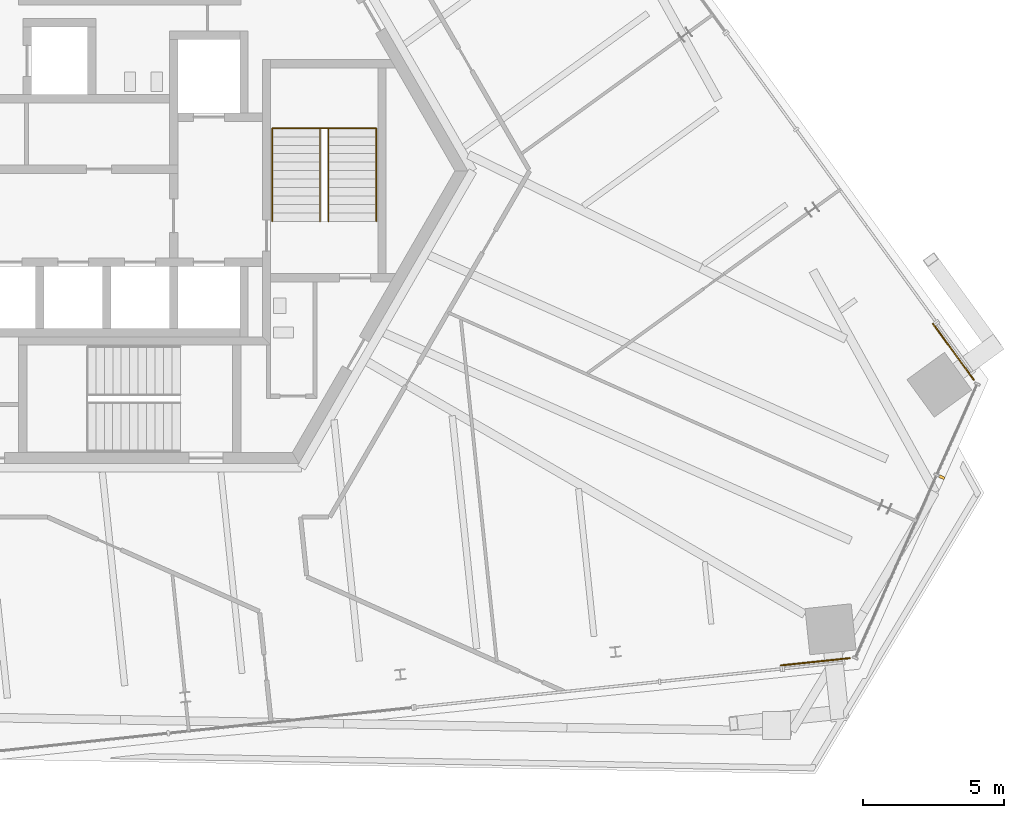
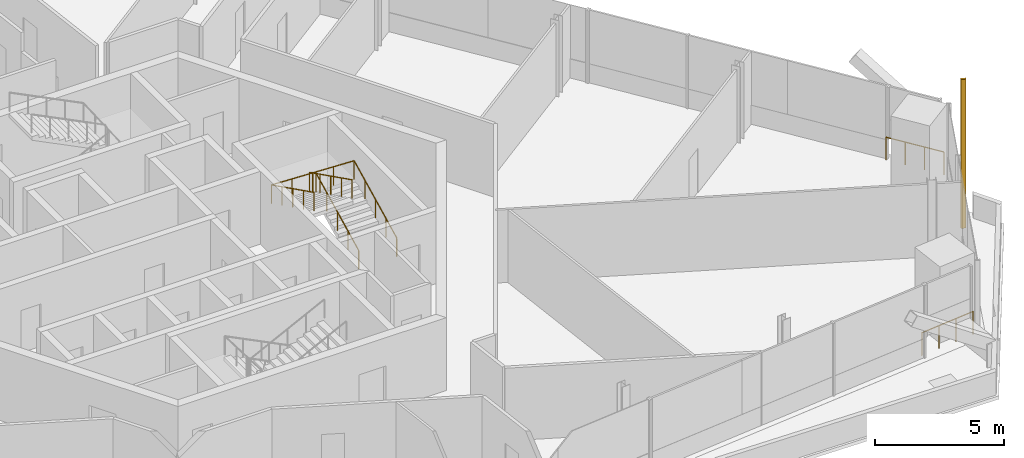
# One storey, part 19 of 21: 4 railings, 1 shading device.
"""IFC4 building model written with IfcOpenShell, lengths in metres."""

import ifcopenshell
import ifcopenshell.guid

model = None  # the IFC model being written
_history = None  # IfcOwnerHistory: only IFC2X3 demands one
_inside = {}  # id of a spatial element -> (the spatial element, [elements in it])
_under = {}  # id of a project, library or spatial element -> (it, [spatial elements below it])
_declared = {}  # id of a project -> (the project, [libraries it declares])
_typed = {}  # id of a type object -> (the type object, [elements of that type])
_made_of = {}  # id of a material, layer set ... -> (it, [elements and type objects made of it])


def new_model(schema):
    """Start an empty IFC model of exactly this schema.

    Asked for "IFC4X3", IfcOpenShell would pick the latest addendum, in which some entities
    have other attributes; the version numbers below select the first issue.
    IFC2X3 requires an IfcOwnerHistory on every rooted entity: one is made here for all.
    """
    global model, _history
    if schema == "IFC4X3":
        model = ifcopenshell.file(schema_version=(4, 3, 0, 0))
    else:
        model = ifcopenshell.file(schema=schema)
    _inside.clear()
    _under.clear()
    _declared.clear()
    _typed.clear()
    _made_of.clear()
    _history = None
    if model.schema == "IFC2X3":
        org = make("IfcOrganization", Name="unknown")
        user = make(
            "IfcPersonAndOrganization",
            ThePerson=make("IfcPerson", FamilyName="unknown"),
            TheOrganization=org,
        )
        app = make(
            "IfcApplication",
            ApplicationDeveloper=org,
            Version="unknown",
            ApplicationFullName="unknown",
            ApplicationIdentifier="unknown",
        )
        _history = make(
            "IfcOwnerHistory",
            OwningUser=user,
            OwningApplication=app,
            ChangeAction="ADDED",
            CreationDate=0,
        )
    return model


def make(cls, **values):
    """One entity of the class cls with the attributes given. An attribute that is None is left unset."""
    return model.create_entity(
        cls, **{name: value for name, value in values.items() if value is not None}
    )


def rooted(cls, **values):
    """An entity with a GlobalId (a new one), such as an element, a storey or a relation."""
    return make(cls, GlobalId=ifcopenshell.guid.new(), OwnerHistory=_history, **values)


def si_unit(unit_type, name, prefix=None):
    """IfcSIUnit, for example si_unit("LENGTHUNIT", "METRE", prefix="MILLI")."""
    return make("IfcSIUnit", UnitType=unit_type, Prefix=prefix, Name=name)


def assignment(units):
    """IfcUnitAssignment: the units of a project."""
    return None if units is None else make("IfcUnitAssignment", Units=units)


def point(xyz):
    """IfcCartesianPoint."""
    return None if xyz is None else make("IfcCartesianPoint", Coordinates=xyz)


def direction(xyz):
    """IfcDirection."""
    return None if xyz is None else make("IfcDirection", DirectionRatios=xyz)


def frame(location, z_axis=None, x_axis=None):
    """IfcAxis2Placement3D, a coordinate frame: its origin and axes. An axis left out is left unset."""
    return make(
        "IfcAxis2Placement3D",
        Location=point(location),
        Axis=direction(z_axis),
        RefDirection=direction(x_axis),
    )


def frame_2d(location, x_axis=None):
    """IfcAxis2Placement2D, a coordinate frame in the plane: its origin and x axis."""
    return make(
        "IfcAxis2Placement2D", Location=point(location), RefDirection=direction(x_axis)
    )


def origin():
    """The frame at (0, 0, 0) with its axes left unset."""
    return frame((0.0, 0.0, 0.0))


def origin_2d():
    """The frame at (0, 0) in the plane with its x axis left unset."""
    return frame_2d((0.0, 0.0))


def place(relative_to, where):
    """IfcLocalPlacement: puts the frame where relative to a parent placement (None: the world)."""
    return make(
        "IfcLocalPlacement", PlacementRelTo=relative_to, RelativePlacement=where
    )


def context(
    kind, dimensions, precision=None, world=None, true_north=None, identifier=None
):
    """IfcGeometricRepresentationContext, for example the 3D "Model" context."""
    return make(
        "IfcGeometricRepresentationContext",
        ContextIdentifier=identifier,
        ContextType=kind,
        CoordinateSpaceDimension=dimensions,
        Precision=precision,
        WorldCoordinateSystem=world,
        TrueNorth=true_north,
    )


def subcontext(parent, identifier, kind, view, scale=None):
    """IfcGeometricRepresentationSubContext, for example "Body" below "Model"."""
    return make(
        "IfcGeometricRepresentationSubContext",
        ContextIdentifier=identifier,
        ContextType=kind,
        ParentContext=parent,
        TargetScale=scale,
        TargetView=view,
    )


def project(units=None, contexts=None):
    """IfcProject with its units and contexts."""
    return rooted(
        "IfcProject",
        Name="project",
        RepresentationContexts=contexts,
        UnitsInContext=assignment(units),
    )


def spatial(cls, under=None, at=None, **own):
    """A site, building, storey or space (cls), placed at a placement, below another one or the project."""
    s = rooted(cls, ObjectPlacement=at, **own)
    if under is not None:
        _under.setdefault(under.id(), (under, []))[1].append(s)
    return s


def profile(cls, at=None, kind="AREA", **sizes):
    """A parametric profile (cls). Its sizes go by their IFC names, for example OverallWidth=200.0."""
    return make(cls, ProfileType=kind, Position=at, **sizes)


def rectangle(**sizes):
    """IfcRectangleProfileDef."""
    return profile("IfcRectangleProfileDef", **sizes)


def circle(**sizes):
    """IfcCircleProfileDef."""
    return profile("IfcCircleProfileDef", **sizes)


def extrude(swept, where, along, depth):
    """IfcExtrudedAreaSolid: the profile swept, set in the frame where, extruded along a direction by depth."""
    return make(
        "IfcExtrudedAreaSolid",
        SweptArea=swept,
        Position=where,
        ExtrudedDirection=direction(along),
        Depth=depth,
    )


def shape(context_of_items, identifier, shape_type, items):
    """IfcShapeRepresentation: the items that make up one representation, for example the "Body"."""
    return make(
        "IfcShapeRepresentation",
        ContextOfItems=context_of_items,
        RepresentationIdentifier=identifier,
        RepresentationType=shape_type,
        Items=items,
    )


def source(mapping_origin, context_of_items, identifier, shape_type, items):
    """IfcRepresentationMap: a shape defined once, which mapped items show again and again."""
    return make(
        "IfcRepresentationMap",
        MappingOrigin=mapping_origin,
        MappedRepresentation=shape(context_of_items, identifier, shape_type, items),
    )


def transform(
    local_origin,
    x_axis=None,
    y_axis=None,
    z_axis=None,
    scale=None,
    scale2=None,
    scale3=None,
    uniform=True,
):
    """IfcCartesianTransformationOperator3D, or its non-uniform kind. x_axis, y_axis, z_axis: its Axis1, 2, 3."""
    if uniform:
        return make(
            "IfcCartesianTransformationOperator3D",
            Axis1=direction(x_axis),
            Axis2=direction(y_axis),
            LocalOrigin=point(local_origin),
            Scale=scale,
            Axis3=direction(z_axis),
        )
    return make(
        "IfcCartesianTransformationOperator3DnonUniform",
        Axis1=direction(x_axis),
        Axis2=direction(y_axis),
        LocalOrigin=point(local_origin),
        Scale=scale,
        Axis3=direction(z_axis),
        Scale2=scale2,
        Scale3=scale3,
    )


def mapped(mapping_source, mapping_target):
    """IfcMappedItem: shows the shape of a source again, moved by a transform."""
    return make(
        "IfcMappedItem", MappingSource=mapping_source, MappingTarget=mapping_target
    )


def material(Name=None, Category=None):
    """IfcMaterial."""
    return make("IfcMaterial", Name=Name, Category=Category)


def made_of(thing, what):
    """Note that an element or type object is made of a material, layer set ...; save() writes the relation."""
    if what is not None:
        _made_of.setdefault(what.id(), (what, []))[1].append(thing)
    return thing


def type_object(cls, material=None, **own):
    """A type object (cls), such as IfcWallType, which elements share."""
    return made_of(rooted(cls, **own), material)


def element(
    cls,
    number,
    at=None,
    inside=None,
    cuts=None,
    type_object=None,
    material=None,
    context=None,
    identifier="Body",
    shape_type=None,
    held_by="IfcProductDefinitionShape",
    body=None,
    shapes=None,
    **own,
):
    """One element of the class cls, such as IfcWall. Its Tag is "e" and its number.

    at: its placement. inside: the storey or other place that contains it. cuts: it is an
    opening in that element (IfcRelVoidsElement). A single representation is given by context,
    identifier, shape_type and body (its items); several are given by shapes. held_by: the class
    of the entity that holds the representations. save() writes the other relations.
    """
    e = rooted(cls, Tag="e%d" % number, ObjectPlacement=at, **own)
    if body is not None:
        shapes = [shape(context, identifier, shape_type, body)]
    if shapes is not None:
        e.Representation = make(held_by, Representations=shapes)
    if inside is not None:
        _inside.setdefault(inside.id(), (inside, []))[1].append(e)
    if cuts is not None:
        rooted(
            "IfcRelVoidsElement", RelatingBuildingElement=cuts, RelatedOpeningElement=e
        )
    if type_object is not None:
        _typed.setdefault(type_object.id(), (type_object, []))[1].append(e)
    return made_of(e, material)


def aggregate(whole, parts):
    """IfcRelAggregates: a whole, such as a stair, and the parts it consists of."""
    return rooted("IfcRelAggregates", RelatingObject=whole, RelatedObjects=parts)


def save(model, path):
    """Write the relations noted so far, then the file.

    IfcRelAggregates (storeys below a building ...), IfcRelContainedInSpatialStructure (elements
    in a storey), IfcRelDefinesByType, IfcRelAssociatesMaterial and IfcRelDeclares: one each for
    every whole, place, type object, material and project.
    """
    for whole, parts in _under.values():
        aggregate(whole, parts)
    for where, things in _inside.values():
        rooted(
            "IfcRelContainedInSpatialStructure",
            RelatedElements=things,
            RelatingStructure=where,
        )
    for kind, things in _typed.values():
        rooted("IfcRelDefinesByType", RelatedObjects=things, RelatingType=kind)
    for what, things in _made_of.values():
        rooted("IfcRelAssociatesMaterial", RelatedObjects=things, RelatingMaterial=what)
    for by, libraries in _declared.values():
        rooted("IfcRelDeclares", RelatingContext=by, RelatedDefinitions=libraries)
    model.write(path)


model = new_model("IFC4")

# Units and contexts
model_context = context("Model", 3, precision=1e-05, world=origin(), true_north=direction((0.0, 1.0)))
body_context = subcontext(model_context, "Body", "Model", "MODEL_VIEW")
ifc_project = project(units=[si_unit("LENGTHUNIT", "METRE"), si_unit("AREAUNIT", "SQUARE_METRE"), si_unit("VOLUMEUNIT", "CUBIC_METRE"), si_unit("PLANEANGLEUNIT", "RADIAN"), si_unit("MASSUNIT", "GRAM", prefix="KILO")], contexts=[model_context])

# Site, building, storey
site_placement = place(None, origin())
site = spatial("IfcSite", under=ifc_project, at=site_placement, CompositionType="ELEMENT")
building_placement = place(site_placement, origin())
building = spatial("IfcBuilding", under=site, at=building_placement, Name="Triune Harvest Tower", CompositionType="ELEMENT")
storey_placement = place(building_placement, frame((0.0, 0.0, 219.699951171875)))
storey = spatial("IfcBuildingStorey", under=building, at=storey_placement, Name="L57", CompositionType="ELEMENT", Elevation=219.699951171875)

# Railings
ifc_material_1 = material(Name="Glass", Category="glass")
railing_type_1 = type_object("IfcRailingType", Name="GD-3 facade guard 1100", PredefinedType="GUARDRAIL", material=ifc_material_1)
railing_1_placement = place(storey_placement, frame((29.9619140625, -7.418212890625, 0.0)))
element("IfcRailing", 1, at=railing_1_placement, inside=storey, type_object=railing_type_1, Name="Facade guard B6-F1 L57.1.1", PredefinedType="GUARDRAIL", context=body_context, shape_type="SweptSolid", body=[
    extrude(circle(Radius=0.02392578125, at=origin_2d()), frame((0.0, 0.0, 1.076171875), z_axis=(-0.587711022972, 0.809070919931, 0.0), x_axis=(-0.809070919931, -0.587711022972, 0.0)), (0.0, 0.0, 1.0), 2.45849609375),
    extrude(circle(Radius=0.02099609375, at=origin_2d()), origin(), (0.0, 0.0, 1.0), 1.052001953125),
    extrude(circle(Radius=0.02099609375, at=origin_2d()), frame((-0.481689453125, 0.6630859375, 0.0)), (0.0, 0.0, 1.0), 1.052001953125),
    extrude(circle(Radius=0.02099609375, at=origin_2d()), frame((-0.963134765625, 1.325927734375, 0.0)), (0.0, 0.0, 1.0), 1.052001953125),
    extrude(circle(Radius=0.02099609375, at=origin_2d()), frame((-1.44482421875, 1.989013671875, 0.0)), (0.0, 0.0, 1.0), 1.052001953125),
])
railing_2_placement = place(storey_placement, frame((23.116455078125, -17.559326171875, 0.0)))
element("IfcRailing", 2, at=railing_2_placement, inside=storey, type_object=railing_type_1, Name="Facade guard B6-F5 L57.1.2", PredefinedType="GUARDRAIL", context=body_context, shape_type="SweptSolid", body=[
    extrude(circle(Radius=0.02392578125, at=origin_2d()), frame((0.0, 0.0, 1.076171875), z_axis=(0.994516874753, 0.104576220203, 0.0), x_axis=(-0.104576220203, 0.994516874753, 0.0)), (0.0, 0.0, 1.0), 2.458251953125),
    extrude(circle(Radius=0.02099609375, at=origin_2d()), origin(), (0.0, 0.0, 1.0), 1.052001953125),
    extrude(circle(Radius=0.02099609375, at=origin_2d()), frame((0.81494140625, 0.085693359375, 0.0)), (0.0, 0.0, 1.0), 1.052001953125),
    extrude(circle(Radius=0.02099609375, at=origin_2d()), frame((1.6298828125, 0.17138671875, 0.0)), (0.0, 0.0, 1.0), 1.052001953125),
    extrude(circle(Radius=0.02099609375, at=origin_2d()), frame((2.44482421875, 0.257080078125, 0.0)), (0.0, 0.0, 1.0), 1.052001953125),
])
ifc_material_2 = material(Name="Stainless steel AISI 316", Category="steel")
railing_type_2 = type_object("IfcRailingType", Name="Stair handrail", PredefinedType="HANDRAIL", material=ifc_material_2)
shared_shape_1 = source(origin(), body_context, "Body", "SweptSolid", [
    extrude(circle(Radius=0.02392578125, at=origin_2d()), frame((0.0, 0.0, 0.8759765625), z_axis=(0.0, 0.894440424912, 0.447187126696), x_axis=(-1.0, 0.0, 0.0)), (0.0, 0.0, 1.0), 3.689453125),
    extrude(circle(Radius=0.02392578125, at=origin_2d()), frame((0.0, 3.300048828125, 2.52587890625), z_axis=(-0.999180289278, 0.0, 0.040481471304), x_axis=(0.0, -1.0, 0.0)), (0.0, 0.0, 1.0), 3.702880859375),
    extrude(circle(Radius=0.02392578125, at=origin_2d()), frame((-3.699951171875, 3.300048828125, 2.67578125), z_axis=(0.0, -0.894413956696, 0.447240063129), x_axis=(1.0, 0.0, 0.0)), (0.0, 0.0, 1.0), 3.689697265625),
    extrude(circle(Radius=0.02099609375, at=origin_2d()), origin(), (0.0, 0.0, 1.0), 0.851806640625),
    extrude(circle(Radius=0.02099609375, at=origin_2d()), frame((0.0, 0.824951171875, 0.41259765625)), (0.0, 0.0, 1.0), 0.851806640625),
    extrude(circle(Radius=0.02099609375, at=origin_2d()), frame((0.0, 1.64990234375, 0.824951171875)), (0.0, 0.0, 1.0), 0.851806640625),
    extrude(circle(Radius=0.02099609375, at=origin_2d()), frame((0.0, 2.47509765625, 1.2373046875)), (0.0, 0.0, 1.0), 0.851806640625),
    extrude(circle(Radius=0.02099609375, at=origin_2d()), frame((0.0, 3.300048828125, 1.64990234375)), (0.0, 0.0, 1.0), 0.851806640625),
    extrude(circle(Radius=0.02099609375, at=origin_2d()), frame((-0.925048828125, 3.300048828125, 1.6875)), (0.0, 0.0, 1.0), 0.851806640625),
    extrude(circle(Radius=0.02099609375, at=origin_2d()), frame((-1.85009765625, 3.300048828125, 1.724853515625)), (0.0, 0.0, 1.0), 0.851806640625),
    extrude(circle(Radius=0.02099609375, at=origin_2d()), frame((-2.77490234375, 3.300048828125, 1.76220703125)), (0.0, 0.0, 1.0), 0.851806640625),
    extrude(circle(Radius=0.02099609375, at=origin_2d()), frame((-3.699951171875, 3.300048828125, 1.7998046875)), (0.0, 0.0, 1.0), 0.851806640625),
    extrude(circle(Radius=0.02099609375, at=origin_2d()), frame((-3.699951171875, 2.47509765625, 2.21240234375)), (0.0, 0.0, 1.0), 0.851806640625),
    extrude(circle(Radius=0.02099609375, at=origin_2d()), frame((-3.699951171875, 1.64990234375, 2.625)), (0.0, 0.0, 1.0), 0.851806640625),
    extrude(circle(Radius=0.02099609375, at=origin_2d()), frame((-3.699951171875, 0.824951171875, 3.037353515625)), (0.0, 0.0, 1.0), 0.851806640625),
    extrude(circle(Radius=0.02099609375, at=origin_2d()), frame((-3.699951171875, 0.0, 3.449951171875)), (0.0, 0.0, 1.0), 0.851806640625),
])
railing_3_placement = place(storey_placement, frame((8.75, -1.7900390625, 0.150146484375)))
element("IfcRailing", 3, at=railing_3_placement, inside=storey, type_object=railing_type_2, Name="Exit stair east wall handrail", PredefinedType="HANDRAIL", context=body_context, shape_type="MappedRepresentation", body=[
    mapped(shared_shape_1, transform((0.0, 0.0, 0.0), scale=1.0)),
])
shared_shape_2 = source(origin(), body_context, "Body", "SweptSolid", [
    extrude(circle(Radius=0.02392578125, at=origin_2d()), frame((0.0, 0.0, 0.8759765625), z_axis=(0.0, 0.894440424912, 0.447187126696), x_axis=(-1.0, 0.0, 0.0)), (0.0, 0.0, 1.0), 3.689453125),
    extrude(circle(Radius=0.02392578125, at=origin_2d()), frame((0.0, 3.300048828125, 2.52587890625), z_axis=(-0.894572720946, 0.0, 0.446922417137), x_axis=(0.0, -1.0, 0.0)), (0.0, 0.0, 1.0), 0.33544921875),
    extrude(circle(Radius=0.02392578125, at=origin_2d()), frame((-0.300048828125, 3.300048828125, 2.67578125), z_axis=(0.0, -0.894413956696, 0.447240063129), x_axis=(1.0, 0.0, 0.0)), (0.0, 0.0, 1.0), 3.689697265625),
    extrude(circle(Radius=0.02099609375, at=origin_2d()), origin(), (0.0, 0.0, 1.0), 0.851806640625),
    extrude(circle(Radius=0.02099609375, at=origin_2d()), frame((0.0, 0.824951171875, 0.41259765625)), (0.0, 0.0, 1.0), 0.851806640625),
    extrude(circle(Radius=0.02099609375, at=origin_2d()), frame((0.0, 1.64990234375, 0.824951171875)), (0.0, 0.0, 1.0), 0.851806640625),
    extrude(circle(Radius=0.02099609375, at=origin_2d()), frame((0.0, 2.47509765625, 1.2373046875)), (0.0, 0.0, 1.0), 0.851806640625),
    extrude(circle(Radius=0.02099609375, at=origin_2d()), frame((0.0, 3.300048828125, 1.64990234375)), (0.0, 0.0, 1.0), 0.851806640625),
    extrude(circle(Radius=0.02099609375, at=origin_2d()), frame((-0.300048828125, 3.300048828125, 1.7998046875)), (0.0, 0.0, 1.0), 0.851806640625),
    extrude(circle(Radius=0.02099609375, at=origin_2d()), frame((-0.300048828125, 2.47509765625, 2.21240234375)), (0.0, 0.0, 1.0), 0.851806640625),
    extrude(circle(Radius=0.02099609375, at=origin_2d()), frame((-0.300048828125, 1.64990234375, 2.625)), (0.0, 0.0, 1.0), 0.851806640625),
    extrude(circle(Radius=0.02099609375, at=origin_2d()), frame((-0.300048828125, 0.824951171875, 3.037353515625)), (0.0, 0.0, 1.0), 0.851806640625),
    extrude(circle(Radius=0.02099609375, at=origin_2d()), frame((-0.300048828125, 0.0, 3.449951171875)), (0.0, 0.0, 1.0), 0.851806640625),
])
railing_4_placement = place(storey_placement, frame((7.050048828125, -1.7900390625, 0.150146484375)))
element("IfcRailing", 4, at=railing_4_placement, inside=storey, type_object=railing_type_2, Name="Exit stair east centre handrail", PredefinedType="HANDRAIL", context=body_context, shape_type="MappedRepresentation", body=[
    mapped(shared_shape_2, transform((0.0, 0.0, 0.0), scale=1.0)),
])

# Shading device
ifc_material_3 = material(Name="Aluminium bronze anodised", Category="aluminium")
shared_shape_3 = source(origin(), body_context, "Body", "SweptSolid", [
    extrude(rectangle(XDim=0.10009765625, YDim=0.199951171875, at=origin_2d()), origin(), (0.0, 0.0, 1.0), 7.0400390625),
])
shading_device_placement = place(storey_placement, frame((28.8291015625, -10.87841796875, 0.0), z_axis=(0.0, 0.0, 1.0), x_axis=(0.406743216086, 0.913542531121, 0.0)))
element("IfcShadingDevice", 5, at=shading_device_placement, inside=storey, material=ifc_material_3, Name="FN-1 fin B6-F6.3 L57", ObjectType="FIN", PredefinedType="USERDEFINED", context=body_context, shape_type="MappedRepresentation", body=[
    mapped(shared_shape_3, transform((0.0, 0.0, 0.0), scale=1.0)),
])

save(model, "model.ifc")
